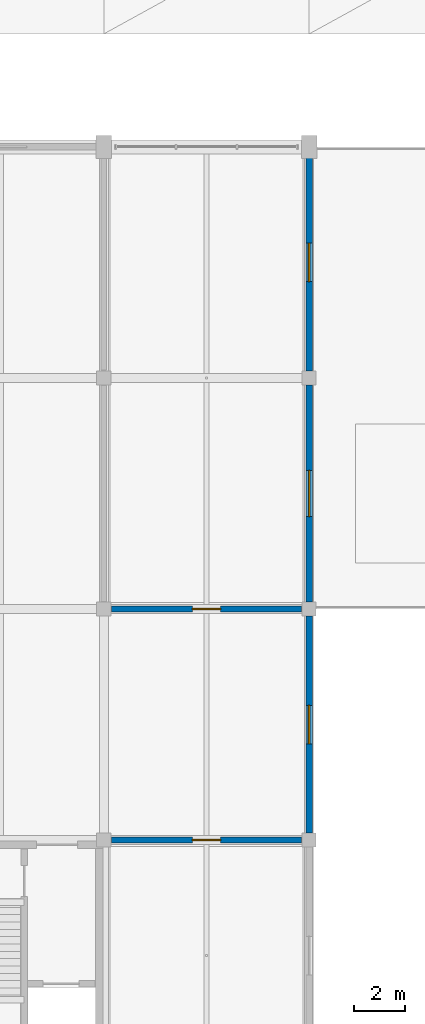
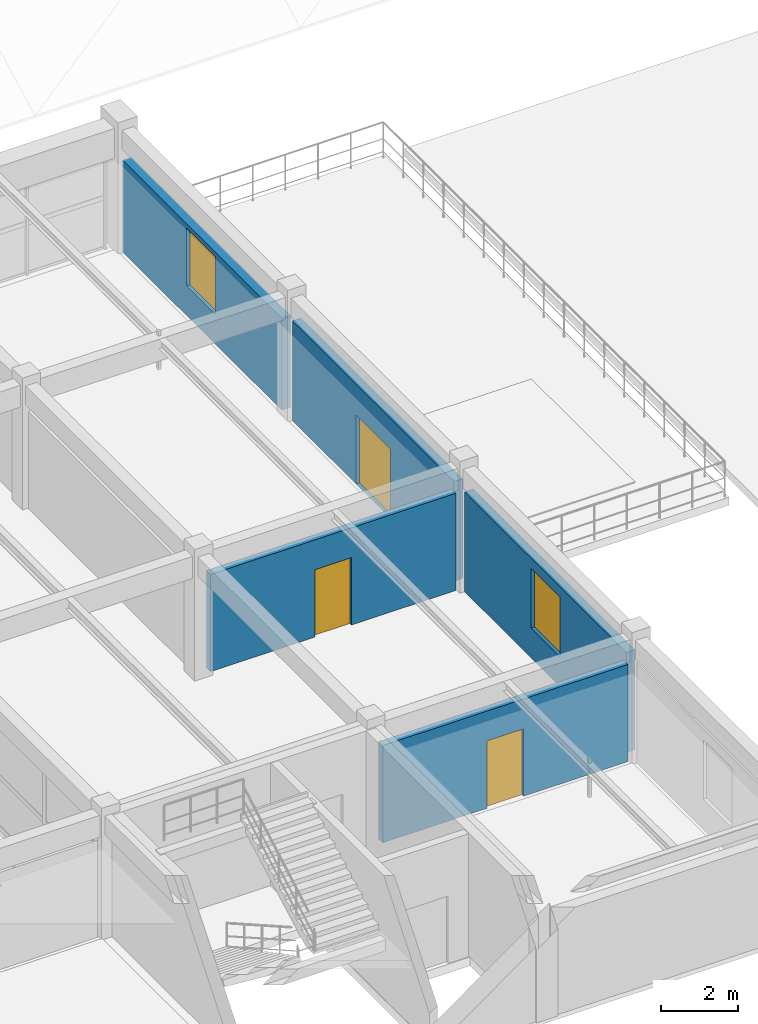
# One storey, part 48 of 63: 5 walls, 3 doors, 2 windows, 5 openings.
"""IFC4 building model written with IfcOpenShell, lengths in metres."""

from ifc_helpers import new_model, si_unit, direction, frame, frame_2d, origin, place, context, subcontext, project, spatial, rectangle, extrude, material, layer, layer_set, type_object, element, fill, save


model = new_model("IFC4")

# Units and contexts
model_context = context("Model", 3, precision=1e-05, world=origin(), true_north=direction((0.0, 1.0)))
body_context = subcontext(model_context, "Body", "Model", "MODEL_VIEW")
ifc_project = project(units=[si_unit("LENGTHUNIT", "METRE"), si_unit("AREAUNIT", "SQUARE_METRE"), si_unit("VOLUMEUNIT", "CUBIC_METRE"), si_unit("PLANEANGLEUNIT", "RADIAN"), si_unit("MASSUNIT", "GRAM", prefix="KILO")], contexts=[model_context])

# Site, building, storey
site_placement = place(None, origin())
site = spatial("IfcSite", under=ifc_project, at=site_placement, CompositionType="ELEMENT")
building_placement = place(site_placement, origin())
building = spatial("IfcBuilding", under=site, at=building_placement, Name="Varnabhumi Central Station", CompositionType="ELEMENT")
storey_placement = place(building_placement, frame((0.0, 0.0, 20.39990234375)))
storey = spatial("IfcBuildingStorey", under=building, at=storey_placement, Name="L04", CompositionType="ELEMENT", Elevation=20.39990234375)

# Wall, opening, door
ifc_material_1 = material(Name="Autoclaved aerated blockwork masonry", Category="masonry")
ifc_layer_1 = layer(ifc_material_1, 0.219970703125, Name="Autoclaved aerated blockwork masonry", Category="masonry")
ifc_layer_set_1 = layer_set([ifc_layer_1], Name="Autoclaved aerated blockwork masonry")
wall_type_1 = type_object("IfcWallType", Name="WAL-COMP-AAC-220", PredefinedType="SOLIDWALL", material=ifc_layer_set_1)
wall_1_placement = place(storey_placement, frame((152.300048828125, 18.0, 0.0), z_axis=(0.0, 0.0, 1.0), x_axis=(1.0, 0.0, 0.0)))
wall_1 = element("IfcWall", 1, at=wall_1_placement, inside=storey, type_object=wall_type_1, Name="Fibre Telecom and Data Logger Room Corridor Partition 1", PredefinedType="SOLIDWALL", context=body_context, shape_type="SweptSolid", body=[
    extrude(rectangle(XDim=7.39990234375, YDim=0.219970703125, at=frame_2d((3.699951171875, 0.0))), origin(), (0.0, 0.0, 1.0), 3.10009765625),
])
opening_1_placement = place(wall_1_placement, frame((3.14990234375, 0.0, 0.0)))
opening_1 = element("IfcOpeningElement", 2, at=opening_1_placement, cuts=wall_1, Name="Opening FD-60", PredefinedType="OPENING", context=body_context, shape_type="SweptSolid", body=[
    extrude(rectangle(XDim=1.10009765625, YDim=2.14990234375, at=frame_2d((0.550048828125, 1.074951171875))), frame((0.0, 0.119873046875, 0.0), z_axis=(0.0, -1.0, 0.0), x_axis=(1.0, 0.0, 0.0)), (0.0, 0.0, 1.0), 0.239990234375),
])
ifc_material_2 = material(Name="Intumescent-treated hardwood timber", Category="wood")
door_type_1 = type_object("IfcDoorType", Name="DR-FIRE-60-1100", OperationType="NOTDEFINED", PredefinedType="DOOR", material=ifc_material_2)
door_1_placement = place(opening_1_placement, frame((1.10009765625, 0.0, 0.0), z_axis=(0.0, 0.0, 1.0), x_axis=(-1.0, 0.0, 0.0)))
door_1 = element("IfcDoor", 3, at=door_1_placement, inside=storey, type_object=door_type_1, Name="Fibre Telecom and Data Logger Room Door 1", OperationType="SINGLE_SWING_RIGHT", OverallHeight=2.14990234375, OverallWidth=1.10009765625, PredefinedType="DOOR", context=body_context, shape_type="SweptSolid", body=[
    extrude(rectangle(XDim=1.10009765625, YDim=2.14990234375, at=frame_2d((0.550048828125, 1.074951171875))), frame((0.0, 0.02490234375, 0.0), z_axis=(0.0, -1.0, 0.0), x_axis=(1.0, 0.0, 0.0)), (0.0, 0.0, 1.0), 0.050048828125),
])
fill(opening_1, door_1)

wall_2_placement = place(storey_placement, frame((152.300048828125, 9.0, 0.0), z_axis=(0.0, 0.0, 1.0), x_axis=(1.0, 0.0, 0.0)))
wall_2 = element("IfcWall", 4, at=wall_2_placement, inside=storey, type_object=wall_type_1, Name="Signalling Calibration Workshop Corridor Partition 1", PredefinedType="SOLIDWALL", context=body_context, shape_type="SweptSolid", body=[
    extrude(rectangle(XDim=7.39990234375, YDim=0.219970703125, at=frame_2d((3.699951171875, 0.0))), origin(), (0.0, 0.0, 1.0), 3.10009765625),
])
opening_2_placement = place(wall_2_placement, frame((3.14990234375, 0.0, 0.0)))
opening_2 = element("IfcOpeningElement", 5, at=opening_2_placement, cuts=wall_2, Name="Opening FD-60", PredefinedType="OPENING", context=body_context, shape_type="SweptSolid", body=[
    extrude(rectangle(XDim=1.10009765625, YDim=2.14990234375, at=frame_2d((0.550048828125, 1.074951171875))), frame((0.0, 0.119873046875, 0.0), z_axis=(0.0, -1.0, 0.0), x_axis=(1.0, 0.0, 0.0)), (0.0, 0.0, 1.0), 0.239990234375),
])
door_2_placement = place(opening_2_placement, origin())
door_2 = element("IfcDoor", 6, at=door_2_placement, inside=storey, type_object=door_type_1, Name="Signalling Calibration Workshop Door 1", OperationType="SINGLE_SWING_LEFT", OverallHeight=2.14990234375, OverallWidth=1.10009765625, PredefinedType="DOOR", context=body_context, shape_type="SweptSolid", body=[
    extrude(rectangle(XDim=1.10009765625, YDim=2.14990234375, at=frame_2d((0.550048828125, 1.074951171875))), frame((0.0, 0.02490234375, 0.0), z_axis=(0.0, -1.0, 0.0), x_axis=(1.0, 0.0, 0.0)), (0.0, 0.0, 1.0), 0.050048828125),
])
fill(opening_2, door_2)

# Wall, opening, window
ifc_layer_2 = layer(ifc_material_1, 0.260009765625, Name="Autoclaved aerated blockwork masonry", Category="masonry")
ifc_layer_set_2 = layer_set([ifc_layer_2], Name="Autoclaved aerated blockwork masonry")
wall_type_2 = type_object("IfcWallType", Name="WAL-EXT-STUCCO-260", PredefinedType="SOLIDWALL", material=ifc_layer_set_2)
wall_3_placement = place(storey_placement, frame((160.0, 9.27001953125, 0.0), z_axis=(0.0, 0.0, 1.0), x_axis=(0.0, 1.0, 0.0)))
wall_3 = element("IfcWall", 7, at=wall_3_placement, inside=storey, type_object=wall_type_2, Name="South Wing W End Wall L04-2", PredefinedType="SOLIDWALL", context=body_context, shape_type="SweptSolid", body=[
    extrude(rectangle(XDim=8.4599609375, YDim=0.260009765625, at=frame_2d((4.22998046875, 0.0))), origin(), (0.0, 0.0, 1.0), 3.18017578125),
])
opening_3_placement = place(wall_3_placement, frame((3.47998046875, 0.0, 0.949951171875)))
opening_3 = element("IfcOpeningElement", 8, at=opening_3_placement, cuts=wall_3, Name="Opening W-07", PredefinedType="OPENING", context=body_context, shape_type="SweptSolid", body=[
    extrude(rectangle(XDim=1.5, YDim=1.89990234375, at=frame_2d((0.75, 0.949951171875))), frame((0.0, 0.139892578125, 0.0), z_axis=(0.0, -1.0, 0.0), x_axis=(1.0, 0.0, 0.0)), (0.0, 0.0, 1.0), 0.280029296875),
])
ifc_material_3 = material(Name="Laminated low-E double glazing", Category="glass")
window_type = type_object("IfcWindowType", Name="WIN-OPS-1500x1900", PartitioningType="SINGLE_PANEL", PredefinedType="WINDOW", material=ifc_material_3)
window_1_placement = place(opening_3_placement, origin())
window_1 = element("IfcWindow", 9, at=window_1_placement, inside=storey, type_object=window_type, Name="South W Window L04-2", OverallHeight=1.89990234375, OverallWidth=1.5, PartitioningType="SINGLE_PANEL", PredefinedType="WINDOW", context=body_context, shape_type="SweptSolid", body=[
    extrude(rectangle(XDim=1.5, YDim=1.89990234375, at=frame_2d((0.75, 0.949951171875))), frame((0.0, 0.030029296875, 0.0), z_axis=(0.0, -1.0, 0.0), x_axis=(1.0, 0.0, 0.0)), (0.0, 0.0, 1.0), 0.06005859375),
])
fill(opening_3, window_1)

# Wall, opening, door
wall_4_placement = place(storey_placement, frame((160.0, 18.27001953125, 0.0), z_axis=(0.0, 0.0, 1.0), x_axis=(0.0, 1.0, 0.0)))
wall_4 = element("IfcWall", 10, at=wall_4_placement, inside=storey, type_object=wall_type_2, Name="South Wing W End Wall L04-3", PredefinedType="SOLIDWALL", context=body_context, shape_type="SweptSolid", body=[
    extrude(rectangle(XDim=8.4599609375, YDim=0.260009765625, at=frame_2d((4.22998046875, 0.0))), origin(), (0.0, 0.0, 1.0), 3.18017578125),
])
opening_4_placement = place(wall_4_placement, frame((3.330078125, 0.0, 0.0)))
opening_4 = element("IfcOpeningElement", 11, at=opening_4_placement, cuts=wall_4, Name="Opening ED-4", PredefinedType="OPENING", context=body_context, shape_type="SweptSolid", body=[
    extrude(rectangle(XDim=1.800048828125, YDim=2.199951171875, at=frame_2d((0.89990234375, 1.10009765625))), frame((0.0, 0.139892578125, 0.0), z_axis=(0.0, -1.0, 0.0), x_axis=(1.0, 0.0, 0.0)), (0.0, 0.0, 1.0), 0.280029296875),
])
ifc_material_4 = material(Name="Anodised aluminium 6063-T6", Category="aluminium")
door_type_2 = type_object("IfcDoorType", Name="DR-EXT-AZOTEA-1800", OperationType="NOTDEFINED", PredefinedType="DOOR", material=ifc_material_4)
door_3_placement = place(opening_4_placement, origin())
door_3 = element("IfcDoor", 12, at=door_3_placement, inside=storey, type_object=door_type_2, Name="South Azotea Terrace Door L04-W", OperationType="DOUBLE_DOOR_SINGLE_SWING", OverallHeight=2.199951171875, OverallWidth=1.800048828125, PredefinedType="DOOR", context=body_context, shape_type="SweptSolid", body=[
    extrude(rectangle(XDim=1.800048828125, YDim=2.199951171875, at=frame_2d((0.89990234375, 1.10009765625))), frame((0.0, 0.02490234375, 0.0), z_axis=(0.0, -1.0, 0.0), x_axis=(1.0, 0.0, 0.0)), (0.0, 0.0, 1.0), 0.050048828125),
])
fill(opening_4, door_3)

# Wall, opening, window
wall_5_placement = place(storey_placement, frame((160.0, 27.27001953125, 0.0), z_axis=(0.0, 0.0, 1.0), x_axis=(0.0, 1.0, 0.0)))
wall_5 = element("IfcWall", 13, at=wall_5_placement, inside=storey, type_object=wall_type_2, Name="South Wing W End Wall L04-4", PredefinedType="SOLIDWALL", context=body_context, shape_type="SweptSolid", body=[
    extrude(rectangle(XDim=8.330078125, YDim=0.260009765625, at=frame_2d((4.1650390625, 0.0))), origin(), (0.0, 0.0, 1.0), 2.93017578125),
])
opening_5_placement = place(wall_5_placement, frame((3.47998046875, 0.0, 0.949951171875)))
opening_5 = element("IfcOpeningElement", 14, at=opening_5_placement, cuts=wall_5, Name="Opening W-07", PredefinedType="OPENING", context=body_context, shape_type="SweptSolid", body=[
    extrude(rectangle(XDim=1.5, YDim=1.840087890625, at=frame_2d((0.75, 0.919921875))), frame((0.0, 0.139892578125, 0.0), z_axis=(0.0, -1.0, 0.0), x_axis=(1.0, 0.0, 0.0)), (0.0, 0.0, 1.0), 0.280029296875),
])
window_2_placement = place(opening_5_placement, origin())
window_2 = element("IfcWindow", 15, at=window_2_placement, inside=storey, type_object=window_type, Name="South W Window L04-4", OverallHeight=1.840087890625, OverallWidth=1.5, PartitioningType="SINGLE_PANEL", PredefinedType="WINDOW", context=body_context, shape_type="SweptSolid", body=[
    extrude(rectangle(XDim=1.5, YDim=1.840087890625, at=frame_2d((0.75, 0.919921875))), frame((0.0, 0.030029296875, 0.0), z_axis=(0.0, -1.0, 0.0), x_axis=(1.0, 0.0, 0.0)), (0.0, 0.0, 1.0), 0.06005859375),
])
fill(opening_5, window_2)

save(model, "model.ifc")
